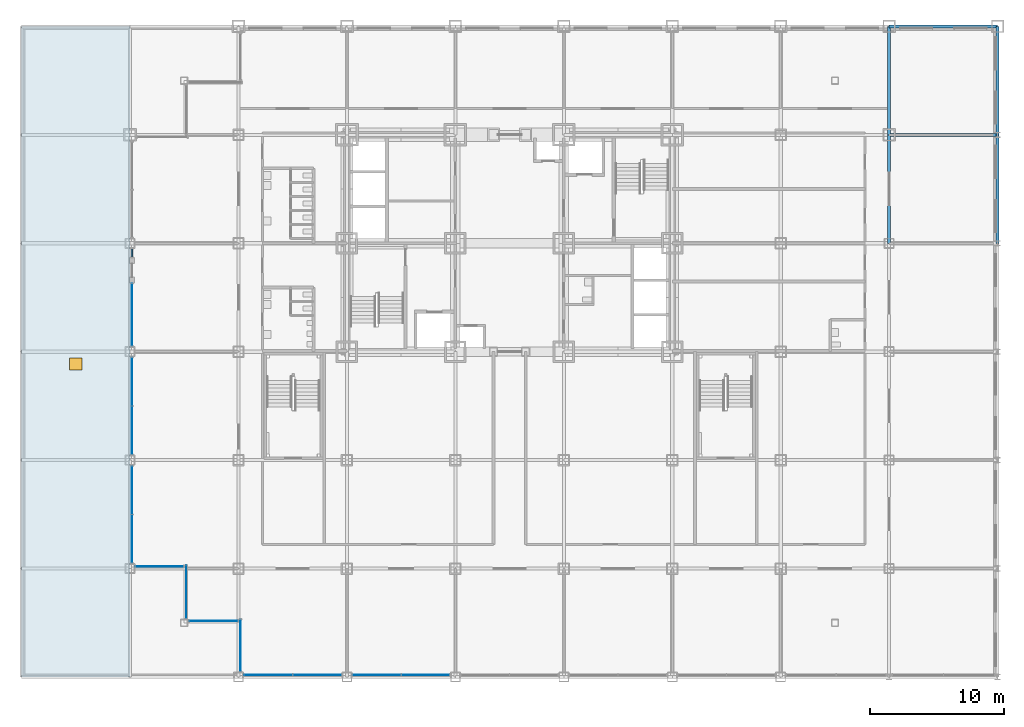
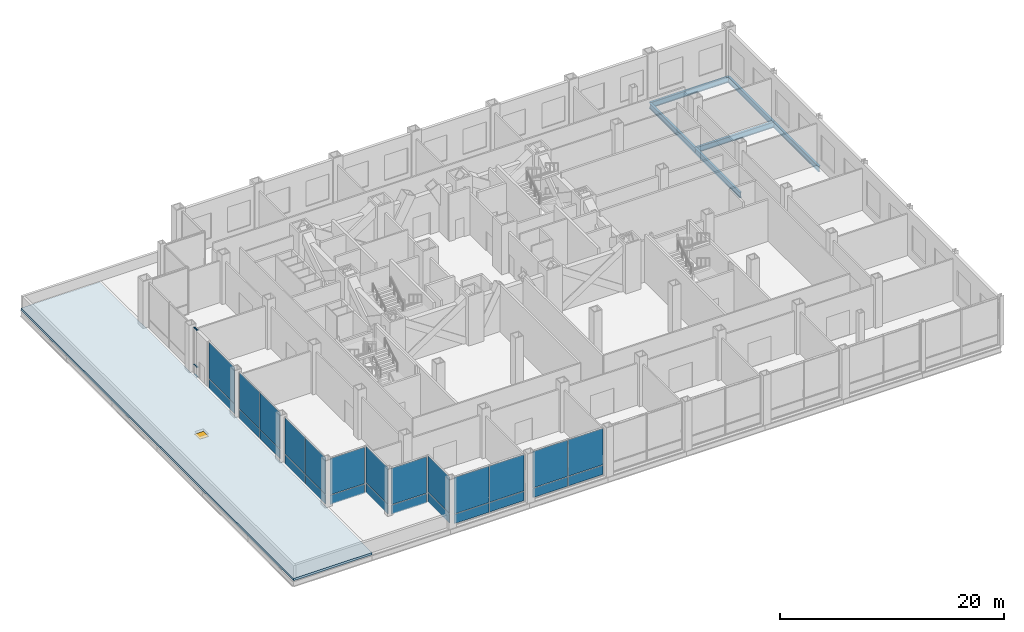
# One storey, part 16 of 26: 26 plates, 6 beams, 3 members, 1 slab, 1 window, 1 opening, 10 elements without a shape of their own.
"""IFC4 building model written with IfcOpenShell, lengths in metres."""

from ifc_helpers import new_model, si_unit, direction, frame, origin, origin_2d, place, context, subcontext, project, spatial, polyline, rectangle, i_section, outline, extrude, material, layer, layer_set, material_profile, profile_set, type_object, element, fill, aggregate, save


model = new_model("IFC4")

# Units and contexts
model_context = context("Model", 3, precision=1e-05, world=origin(), true_north=direction((0.0, 1.0)))
body_context = subcontext(model_context, "Body", "Model", "MODEL_VIEW")
ifc_project = project(units=[si_unit("LENGTHUNIT", "METRE"), si_unit("AREAUNIT", "SQUARE_METRE"), si_unit("VOLUMEUNIT", "CUBIC_METRE"), si_unit("PLANEANGLEUNIT", "RADIAN"), si_unit("MASSUNIT", "GRAM", prefix="KILO")], contexts=[model_context])

# Site, building, storey
site_placement = place(None, origin())
site = spatial("IfcSite", under=ifc_project, at=site_placement, CompositionType="ELEMENT")
building_placement = place(site_placement, origin())
building = spatial("IfcBuilding", under=site, at=building_placement, Name="Kopane Lantern Tower", CompositionType="ELEMENT")
storey_placement = place(building_placement, frame((0.0, 0.0, 16.800048828125)))
storey = spatial("IfcBuildingStorey", under=building, at=storey_placement, Name="L03", CompositionType="ELEMENT", Elevation=16.800048828125)

# Beams
ifc_material_1 = material(Name="Steel S355JR", Category="steel")
ifc_material_profile_1 = material_profile(ifc_material_1, i_section(OverallWidth=0.22900390625, OverallDepth=0.6123046875, WebThickness=0.011962890625, FlangeThickness=0.01953125, FilletRadius=0.0126953125, at=origin_2d()), Name="UB 610x229x125")
ifc_profile_set_1 = profile_set([ifc_material_profile_1], Name="Steel S355JR")
beam_type = type_object("IfcBeamType", Name="GIRDER UB 610x229x125", PredefinedType="BEAM", material=ifc_profile_set_1)
for number, where, z_axis, x_axis, name in (
    (1, (56.699951171875, 32.39990234375, -0.55615234375), (0.0, 1.0, 0.0), (-1.0, 0.0, 0.0), "Girder L03"),
    (2, (56.699951171875, 40.5, -0.55615234375), (0.0, 1.0, 0.0), (-1.0, 0.0, 0.0), "Girder L03"),
    (3, (56.699951171875, 40.5, -0.55615234375), (1.0, 0.0, 0.0), (0.0, 1.0, 0.0), "Girder L03"),
    (4, (56.699951171875, 48.60009765625, -0.55615234375), (1.0, 0.0, 0.0), (0.0, 1.0, 0.0), "Girder L03"),
    (5, (64.800048828125, 32.39990234375, -0.55615234375), (0.0, 1.0, 0.0), (-1.0, 0.0, 0.0), "Girder L03"),
    (6, (64.800048828125, 40.5, -0.55615234375), (0.0, 1.0, 0.0), (-1.0, 0.0, 0.0), "Girder L03"),
):
    element("IfcBeam", number, at=place(storey_placement, frame(where, z_axis=z_axis, x_axis=x_axis)), inside=storey, type_object=beam_type, Name=name, PredefinedType="BEAM", context=body_context, shape_type="SweptSolid", body=[
        extrude(i_section(OverallWidth=0.22900390625, OverallDepth=0.6123046875, WebThickness=0.011962890625, FlangeThickness=0.01953125, FilletRadius=0.0126953125, at=origin_2d()), origin(), (0.0, 0.0, 1.0), 8.10009765625),
    ])

# Curtain wall, members
ifc_material_2 = material(Name="Aluminium and clear glass", Category="aluminium")
curtain_wall_type = type_object("IfcCurtainWallType", Name="CURTAIN WALL CW2 PODIUM UPPER", PredefinedType="USERDEFINED", material=ifc_material_2)
curtain_wall_1_placement = place(storey_placement, origin())
curtain_wall_1 = element("IfcCurtainWall", 7, at=curtain_wall_1_placement, inside=storey, type_object=curtain_wall_type, Name="Curtain wall CW2 W L03", ObjectType="CURTAIN WALL", PredefinedType="USERDEFINED")
ifc_material_3 = material(Name="Aluminium", Category="aluminium")
ifc_material_profile_2 = material_profile(ifc_material_3, rectangle(XDim=0.139892578125, YDim=0.06005859375, at=origin_2d()), Name="AL 140x60")
ifc_profile_set_2 = profile_set([ifc_material_profile_2], Name="Aluminium")
member_type = type_object("IfcMemberType", Name="TRANSOM CW2-T 60x140", PredefinedType="USERDEFINED", material=ifc_profile_set_2)
member_1_placement = place(storey_placement, frame((0.14990234375, 31.9599609375, 0.030029296875), z_axis=(0.0, -1.0, 0.0), x_axis=(1.0, 0.0, 0.0)))
member_1 = element("IfcMember", 8, at=member_1_placement, type_object=member_type, Name="CW2 transom 1.1", ObjectType="TRANSOM", PredefinedType="USERDEFINED", context=body_context, shape_type="SweptSolid", body=[
    extrude(rectangle(XDim=0.139892578125, YDim=0.06005859375, at=origin_2d()), origin(), (0.0, 0.0, 1.0), 0.574951171875),
])
member_2_placement = place(storey_placement, frame((0.14990234375, 31.9599609375, 1.099853515625), z_axis=(0.0, -1.0, 0.0), x_axis=(1.0, 0.0, 0.0)))
member_2 = element("IfcMember", 9, at=member_2_placement, type_object=member_type, Name="CW2 transom 1.2", ObjectType="TRANSOM", PredefinedType="USERDEFINED", context=body_context, shape_type="SweptSolid", body=[
    extrude(rectangle(XDim=0.139892578125, YDim=0.06005859375, at=origin_2d()), origin(), (0.0, 0.0, 1.0), 0.574951171875),
])
member_3_placement = place(storey_placement, frame((0.14990234375, 31.9599609375, 5.119873046875), z_axis=(0.0, -1.0, 0.0), x_axis=(1.0, 0.0, 0.0)))
member_3 = element("IfcMember", 10, at=member_3_placement, type_object=member_type, Name="CW2 transom 1.3", ObjectType="TRANSOM", PredefinedType="USERDEFINED", context=body_context, shape_type="SweptSolid", body=[
    extrude(rectangle(XDim=0.139892578125, YDim=0.06005859375, at=origin_2d()), origin(), (0.0, 0.0, 1.0), 0.574951171875),
])
aggregate(curtain_wall_1, [member_1, member_2, member_3])

# Curtain wall, plates
curtain_wall_2_placement = place(storey_placement, origin())
curtain_wall_2 = element("IfcCurtainWall", 11, at=curtain_wall_2_placement, inside=storey, type_object=curtain_wall_type, Name="Curtain wall CW2 S L03", ObjectType="CURTAIN WALL", PredefinedType="USERDEFINED")
ifc_material_4 = material(Name="Insulated clear glass unit", Category="glass")
ifc_layer_1 = layer(ifc_material_4, 0.030029296875)
ifc_layer_set_1 = layer_set([ifc_layer_1], Name="CURTAIN PANEL CW2-P 30")
plate_type = type_object("IfcPlateType", Name="CURTAIN PANEL CW2-P 30", PredefinedType="CURTAIN_PANEL", material=ifc_layer_set_1)
plate_1_placement = place(storey_placement, frame((10.330078125, 0.14990234375, 0.06005859375), z_axis=(0.0, 0.0, 1.0), x_axis=(1.0, 0.0, 0.0)))
plate_1 = element("IfcPlate", 12, at=plate_1_placement, type_object=plate_type, Name="CW2 panel 1.1", PredefinedType="CURTAIN_PANEL", context=body_context, shape_type="SweptSolid", body=[
    extrude(rectangle(XDim=3.580078125, YDim=0.030029296875, at=origin_2d()), origin(), (0.0, 0.0, 1.0), 1.010009765625),
])
plate_2_placement = place(storey_placement, frame((10.330078125, 0.14990234375, 1.1298828125), z_axis=(0.0, 0.0, 1.0), x_axis=(1.0, 0.0, 0.0)))
plate_2 = element("IfcPlate", 13, at=plate_2_placement, type_object=plate_type, Name="CW2 panel 1.2", PredefinedType="CURTAIN_PANEL", context=body_context, shape_type="SweptSolid", body=[
    extrude(rectangle(XDim=3.580078125, YDim=0.030029296875, at=origin_2d()), origin(), (0.0, 0.0, 1.0), 3.9599609375),
])
plate_3_placement = place(storey_placement, frame((13.969970703125, 0.14990234375, 0.06005859375), z_axis=(0.0, 0.0, 1.0), x_axis=(1.0, 0.0, 0.0)))
plate_3 = element("IfcPlate", 14, at=plate_3_placement, type_object=plate_type, Name="CW2 panel 2.1", PredefinedType="CURTAIN_PANEL", context=body_context, shape_type="SweptSolid", body=[
    extrude(rectangle(XDim=3.580078125, YDim=0.030029296875, at=origin_2d()), origin(), (0.0, 0.0, 1.0), 1.010009765625),
])
plate_4_placement = place(storey_placement, frame((13.969970703125, 0.14990234375, 1.1298828125), z_axis=(0.0, 0.0, 1.0), x_axis=(1.0, 0.0, 0.0)))
plate_4 = element("IfcPlate", 15, at=plate_4_placement, type_object=plate_type, Name="CW2 panel 2.2", PredefinedType="CURTAIN_PANEL", context=body_context, shape_type="SweptSolid", body=[
    extrude(rectangle(XDim=3.580078125, YDim=0.030029296875, at=origin_2d()), origin(), (0.0, 0.0, 1.0), 3.9599609375),
])
aggregate(curtain_wall_2, [plate_1, plate_2, plate_3, plate_4])

curtain_wall_3_placement = place(storey_placement, origin())
curtain_wall_3 = element("IfcCurtainWall", 16, at=curtain_wall_3_placement, inside=storey, type_object=curtain_wall_type, Name="Curtain wall CW2 S L03", ObjectType="CURTAIN WALL", PredefinedType="USERDEFINED")
plate_5_placement = place(storey_placement, frame((18.429931640625, 0.14990234375, 0.06005859375), z_axis=(0.0, 0.0, 1.0), x_axis=(1.0, 0.0, 0.0)))
plate_5 = element("IfcPlate", 17, at=plate_5_placement, type_object=plate_type, Name="CW2 panel 1.1", PredefinedType="CURTAIN_PANEL", context=body_context, shape_type="SweptSolid", body=[
    extrude(rectangle(XDim=3.580078125, YDim=0.030029296875, at=origin_2d()), origin(), (0.0, 0.0, 1.0), 1.010009765625),
])
plate_6_placement = place(storey_placement, frame((18.429931640625, 0.14990234375, 1.1298828125), z_axis=(0.0, 0.0, 1.0), x_axis=(1.0, 0.0, 0.0)))
plate_6 = element("IfcPlate", 18, at=plate_6_placement, type_object=plate_type, Name="CW2 panel 1.2", PredefinedType="CURTAIN_PANEL", context=body_context, shape_type="SweptSolid", body=[
    extrude(rectangle(XDim=3.580078125, YDim=0.030029296875, at=origin_2d()), origin(), (0.0, 0.0, 1.0), 3.9599609375),
])
plate_7_placement = place(storey_placement, frame((22.070068359375, 0.14990234375, 0.06005859375), z_axis=(0.0, 0.0, 1.0), x_axis=(1.0, 0.0, 0.0)))
plate_7 = element("IfcPlate", 19, at=plate_7_placement, type_object=plate_type, Name="CW2 panel 2.1", PredefinedType="CURTAIN_PANEL", context=body_context, shape_type="SweptSolid", body=[
    extrude(rectangle(XDim=3.580078125, YDim=0.030029296875, at=origin_2d()), origin(), (0.0, 0.0, 1.0), 1.010009765625),
])
plate_8_placement = place(storey_placement, frame((22.070068359375, 0.14990234375, 1.1298828125), z_axis=(0.0, 0.0, 1.0), x_axis=(1.0, 0.0, 0.0)))
plate_8 = element("IfcPlate", 20, at=plate_8_placement, type_object=plate_type, Name="CW2 panel 2.2", PredefinedType="CURTAIN_PANEL", context=body_context, shape_type="SweptSolid", body=[
    extrude(rectangle(XDim=3.580078125, YDim=0.030029296875, at=origin_2d()), origin(), (0.0, 0.0, 1.0), 3.9599609375),
])
aggregate(curtain_wall_3, [plate_5, plate_6, plate_7, plate_8])

curtain_wall_4_placement = place(storey_placement, origin())
curtain_wall_4 = element("IfcCurtainWall", 21, at=curtain_wall_4_placement, inside=storey, type_object=curtain_wall_type, Name="Curtain wall CW2 W L03", ObjectType="CURTAIN WALL", PredefinedType="USERDEFINED")
plate_9_placement = place(storey_placement, frame((0.14990234375, 27.052490234375, 0.06005859375), z_axis=(0.0, 0.0, 1.0), x_axis=(0.0, -1.0, 0.0)))
plate_9 = element("IfcPlate", 22, at=plate_9_placement, type_object=plate_type, Name="CW2 panel 1.1", PredefinedType="CURTAIN_PANEL", context=body_context, shape_type="SweptSolid", body=[
    extrude(rectangle(XDim=4.625, YDim=0.030029296875, at=origin_2d()), origin(), (0.0, 0.0, 1.0), 1.010009765625),
])
plate_10_placement = place(storey_placement, frame((0.14990234375, 27.052490234375, 1.1298828125), z_axis=(0.0, 0.0, 1.0), x_axis=(0.0, -1.0, 0.0)))
plate_10 = element("IfcPlate", 23, at=plate_10_placement, type_object=plate_type, Name="CW2 panel 1.2", PredefinedType="CURTAIN_PANEL", context=body_context, shape_type="SweptSolid", body=[
    extrude(rectangle(XDim=4.625, YDim=0.030029296875, at=origin_2d()), origin(), (0.0, 0.0, 1.0), 3.9599609375),
])
aggregate(curtain_wall_4, [plate_9, plate_10])

curtain_wall_5_placement = place(storey_placement, origin())
curtain_wall_5 = element("IfcCurtainWall", 24, at=curtain_wall_5_placement, inside=storey, type_object=curtain_wall_type, Name="Curtain wall CW2 W L03", ObjectType="CURTAIN WALL", PredefinedType="USERDEFINED")
plate_11_placement = place(storey_placement, frame((0.14990234375, 22.070068359375, 0.06005859375), z_axis=(0.0, 0.0, 1.0), x_axis=(0.0, -1.0, 0.0)))
plate_11 = element("IfcPlate", 25, at=plate_11_placement, type_object=plate_type, Name="CW2 panel 1.1", PredefinedType="CURTAIN_PANEL", context=body_context, shape_type="SweptSolid", body=[
    extrude(rectangle(XDim=3.580078125, YDim=0.030029296875, at=origin_2d()), origin(), (0.0, 0.0, 1.0), 1.010009765625),
])
plate_12_placement = place(storey_placement, frame((0.14990234375, 22.070068359375, 1.1298828125), z_axis=(0.0, 0.0, 1.0), x_axis=(0.0, -1.0, 0.0)))
plate_12 = element("IfcPlate", 26, at=plate_12_placement, type_object=plate_type, Name="CW2 panel 1.2", PredefinedType="CURTAIN_PANEL", context=body_context, shape_type="SweptSolid", body=[
    extrude(rectangle(XDim=3.580078125, YDim=0.030029296875, at=origin_2d()), origin(), (0.0, 0.0, 1.0), 3.9599609375),
])
plate_13_placement = place(storey_placement, frame((0.14990234375, 18.429931640625, 0.06005859375), z_axis=(0.0, 0.0, 1.0), x_axis=(0.0, -1.0, 0.0)))
plate_13 = element("IfcPlate", 27, at=plate_13_placement, type_object=plate_type, Name="CW2 panel 2.1", PredefinedType="CURTAIN_PANEL", context=body_context, shape_type="SweptSolid", body=[
    extrude(rectangle(XDim=3.580078125, YDim=0.030029296875, at=origin_2d()), origin(), (0.0, 0.0, 1.0), 1.010009765625),
])
plate_14_placement = place(storey_placement, frame((0.14990234375, 18.429931640625, 1.1298828125), z_axis=(0.0, 0.0, 1.0), x_axis=(0.0, -1.0, 0.0)))
plate_14 = element("IfcPlate", 28, at=plate_14_placement, type_object=plate_type, Name="CW2 panel 2.2", PredefinedType="CURTAIN_PANEL", context=body_context, shape_type="SweptSolid", body=[
    extrude(rectangle(XDim=3.580078125, YDim=0.030029296875, at=origin_2d()), origin(), (0.0, 0.0, 1.0), 3.9599609375),
])
aggregate(curtain_wall_5, [plate_11, plate_12, plate_13, plate_14])

curtain_wall_6_placement = place(storey_placement, origin())
curtain_wall_6 = element("IfcCurtainWall", 29, at=curtain_wall_6_placement, inside=storey, type_object=curtain_wall_type, Name="Curtain wall CW2 W L03", ObjectType="CURTAIN WALL", PredefinedType="USERDEFINED")
plate_15_placement = place(storey_placement, frame((0.14990234375, 13.969970703125, 0.06005859375), z_axis=(0.0, 0.0, 1.0), x_axis=(0.0, -1.0, 0.0)))
plate_15 = element("IfcPlate", 30, at=plate_15_placement, type_object=plate_type, Name="CW2 panel 1.1", PredefinedType="CURTAIN_PANEL", context=body_context, shape_type="SweptSolid", body=[
    extrude(rectangle(XDim=3.580078125, YDim=0.030029296875, at=origin_2d()), origin(), (0.0, 0.0, 1.0), 1.010009765625),
])
plate_16_placement = place(storey_placement, frame((0.14990234375, 13.969970703125, 1.1298828125), z_axis=(0.0, 0.0, 1.0), x_axis=(0.0, -1.0, 0.0)))
plate_16 = element("IfcPlate", 31, at=plate_16_placement, type_object=plate_type, Name="CW2 panel 1.2", PredefinedType="CURTAIN_PANEL", context=body_context, shape_type="SweptSolid", body=[
    extrude(rectangle(XDim=3.580078125, YDim=0.030029296875, at=origin_2d()), origin(), (0.0, 0.0, 1.0), 3.9599609375),
])
plate_17_placement = place(storey_placement, frame((0.14990234375, 10.330078125, 0.06005859375), z_axis=(0.0, 0.0, 1.0), x_axis=(0.0, -1.0, 0.0)))
plate_17 = element("IfcPlate", 32, at=plate_17_placement, type_object=plate_type, Name="CW2 panel 2.1", PredefinedType="CURTAIN_PANEL", context=body_context, shape_type="SweptSolid", body=[
    extrude(rectangle(XDim=3.580078125, YDim=0.030029296875, at=origin_2d()), origin(), (0.0, 0.0, 1.0), 1.010009765625),
])
plate_18_placement = place(storey_placement, frame((0.14990234375, 10.330078125, 1.1298828125), z_axis=(0.0, 0.0, 1.0), x_axis=(0.0, -1.0, 0.0)))
plate_18 = element("IfcPlate", 33, at=plate_18_placement, type_object=plate_type, Name="CW2 panel 2.2", PredefinedType="CURTAIN_PANEL", context=body_context, shape_type="SweptSolid", body=[
    extrude(rectangle(XDim=3.580078125, YDim=0.030029296875, at=origin_2d()), origin(), (0.0, 0.0, 1.0), 3.9599609375),
])
aggregate(curtain_wall_6, [plate_15, plate_16, plate_17, plate_18])

curtain_wall_7_placement = place(storey_placement, origin())
curtain_wall_7 = element("IfcCurtainWall", 34, at=curtain_wall_7_placement, inside=storey, type_object=curtain_wall_type, Name="Curtain wall CW2 S L03", ObjectType="CURTAIN WALL", PredefinedType="USERDEFINED")
plate_19_placement = place(storey_placement, frame((2.215087890625, 8.25, 0.06005859375), z_axis=(0.0, 0.0, 1.0), x_axis=(1.0, 0.0, 0.0)))
plate_19 = element("IfcPlate", 35, at=plate_19_placement, type_object=plate_type, Name="CW2 panel 1.1", PredefinedType="CURTAIN_PANEL", context=body_context, shape_type="SweptSolid", body=[
    extrude(rectangle(XDim=3.550048828125, YDim=0.030029296875, at=origin_2d()), origin(), (0.0, 0.0, 1.0), 1.010009765625),
])
plate_20_placement = place(storey_placement, frame((2.215087890625, 8.25, 1.1298828125), z_axis=(0.0, 0.0, 1.0), x_axis=(1.0, 0.0, 0.0)))
plate_20 = element("IfcPlate", 36, at=plate_20_placement, type_object=plate_type, Name="CW2 panel 1.2", PredefinedType="CURTAIN_PANEL", context=body_context, shape_type="SweptSolid", body=[
    extrude(rectangle(XDim=3.550048828125, YDim=0.030029296875, at=origin_2d()), origin(), (0.0, 0.0, 1.0), 3.9599609375),
])
aggregate(curtain_wall_7, [plate_19, plate_20])

curtain_wall_8_placement = place(storey_placement, origin())
curtain_wall_8 = element("IfcCurtainWall", 37, at=curtain_wall_8_placement, inside=storey, type_object=curtain_wall_type, Name="Curtain wall CW2 W L03", ObjectType="CURTAIN WALL", PredefinedType="USERDEFINED")
plate_21_placement = place(storey_placement, frame((4.199951171875, 6.364990234375, 0.06005859375), z_axis=(0.0, 0.0, 1.0), x_axis=(0.0, -1.0, 0.0)))
plate_21 = element("IfcPlate", 38, at=plate_21_placement, type_object=plate_type, Name="CW2 panel 1.1", PredefinedType="CURTAIN_PANEL", context=body_context, shape_type="SweptSolid", body=[
    extrude(rectangle(XDim=3.949951171875, YDim=0.030029296875, at=origin_2d()), origin(), (0.0, 0.0, 1.0), 1.010009765625),
])
plate_22_placement = place(storey_placement, frame((4.199951171875, 6.364990234375, 1.1298828125), z_axis=(0.0, 0.0, 1.0), x_axis=(0.0, -1.0, 0.0)))
plate_22 = element("IfcPlate", 39, at=plate_22_placement, type_object=plate_type, Name="CW2 panel 1.2", PredefinedType="CURTAIN_PANEL", context=body_context, shape_type="SweptSolid", body=[
    extrude(rectangle(XDim=3.949951171875, YDim=0.030029296875, at=origin_2d()), origin(), (0.0, 0.0, 1.0), 3.9599609375),
])
aggregate(curtain_wall_8, [plate_21, plate_22])

curtain_wall_9_placement = place(storey_placement, origin())
curtain_wall_9 = element("IfcCurtainWall", 40, at=curtain_wall_9_placement, inside=storey, type_object=curtain_wall_type, Name="Curtain wall CW2 S L03", ObjectType="CURTAIN WALL", PredefinedType="USERDEFINED")
plate_23_placement = place(storey_placement, frame((6.22509765625, 4.199951171875, 0.06005859375), z_axis=(0.0, 0.0, 1.0), x_axis=(1.0, 0.0, 0.0)))
plate_23 = element("IfcPlate", 41, at=plate_23_placement, type_object=plate_type, Name="CW2 panel 1.1", PredefinedType="CURTAIN_PANEL", context=body_context, shape_type="SweptSolid", body=[
    extrude(rectangle(XDim=3.6298828125, YDim=0.030029296875, at=origin_2d()), origin(), (0.0, 0.0, 1.0), 1.010009765625),
])
plate_24_placement = place(storey_placement, frame((6.22509765625, 4.199951171875, 1.1298828125), z_axis=(0.0, 0.0, 1.0), x_axis=(1.0, 0.0, 0.0)))
plate_24 = element("IfcPlate", 42, at=plate_24_placement, type_object=plate_type, Name="CW2 panel 1.2", PredefinedType="CURTAIN_PANEL", context=body_context, shape_type="SweptSolid", body=[
    extrude(rectangle(XDim=3.6298828125, YDim=0.030029296875, at=origin_2d()), origin(), (0.0, 0.0, 1.0), 3.9599609375),
])
aggregate(curtain_wall_9, [plate_23, plate_24])

curtain_wall_10_placement = place(storey_placement, origin())
curtain_wall_10 = element("IfcCurtainWall", 43, at=curtain_wall_10_placement, inside=storey, type_object=curtain_wall_type, Name="Curtain wall CW2 W L03", ObjectType="CURTAIN WALL", PredefinedType="USERDEFINED")
plate_25_placement = place(storey_placement, frame((8.25, 2.364990234375, 0.06005859375), z_axis=(0.0, 0.0, 1.0), x_axis=(0.0, -1.0, 0.0)))
plate_25 = element("IfcPlate", 44, at=plate_25_placement, type_object=plate_type, Name="CW2 panel 1.1", PredefinedType="CURTAIN_PANEL", context=body_context, shape_type="SweptSolid", body=[
    extrude(rectangle(XDim=3.85009765625, YDim=0.030029296875, at=origin_2d()), origin(), (0.0, 0.0, 1.0), 1.010009765625),
])
plate_26_placement = place(storey_placement, frame((8.25, 2.364990234375, 1.1298828125), z_axis=(0.0, 0.0, 1.0), x_axis=(0.0, -1.0, 0.0)))
plate_26 = element("IfcPlate", 45, at=plate_26_placement, type_object=plate_type, Name="CW2 panel 1.2", PredefinedType="CURTAIN_PANEL", context=body_context, shape_type="SweptSolid", body=[
    extrude(rectangle(XDim=3.85009765625, YDim=0.030029296875, at=origin_2d()), origin(), (0.0, 0.0, 1.0), 3.9599609375),
])
aggregate(curtain_wall_10, [plate_25, plate_26])

# Slab, opening, window
ifc_material_5 = material(Name="Concrete C40/50", Category="concrete")
ifc_layer_2 = layer(ifc_material_5, 0.25)
ifc_layer_set_2 = layer_set([ifc_layer_2], Name="SLAB 250 ROOF")
slab_type = type_object("IfcSlabType", Name="SLAB 250 ROOF", PredefinedType="ROOF", material=ifc_layer_set_2)
slab_placement = place(storey_placement, frame((0.0, 0.0, -0.25)))
slab = element("IfcSlab", 46, at=slab_placement, inside=storey, type_object=slab_type, Name="Maintenance roof slab L03", PredefinedType="ROOF", context=body_context, shape_type="SweptSolid", body=[
    extrude(outline(polyline([(-8.10009765625, 48.60009765625), (0.0, 48.60009765625), (0.0, 0.0), (-8.10009765625, 0.0), (-8.10009765625, 48.60009765625)])), origin(), (0.0, 0.0, 1.0), 0.25),
])
opening_placement = place(slab_placement, frame((-4.050048828125, 23.39990234375, 0.0)))
opening = element("IfcOpeningElement", 47, at=opening_placement, cuts=slab, Name="Opening RH1", PredefinedType="OPENING", context=body_context, shape_type="SweptSolid", body=[
    extrude(rectangle(XDim=0.89990234375, YDim=0.89990234375, at=origin_2d()), origin(), (0.0, 0.0, 1.0), 0.25),
])
ifc_material_6 = material(Name="Insulated aluminium", Category="aluminium")
window_type = type_object("IfcWindowType", Name="ROOF ACCESS HATCH RH1 900x900", PartitioningType="SINGLE_PANEL", PredefinedType="SKYLIGHT", material=ifc_material_6)
window_placement = place(opening_placement, frame((0.0, 0.0, 0.199951171875)))
window = element("IfcWindow", 48, at=window_placement, inside=storey, type_object=window_type, Name="Roof access hatch L03", OverallHeight=0.89990234375, OverallWidth=0.89990234375, PartitioningType="SINGLE_PANEL", PredefinedType="SKYLIGHT", context=body_context, shape_type="SweptSolid", body=[
    extrude(rectangle(XDim=0.89990234375, YDim=0.89990234375, at=origin_2d()), origin(), (0.0, 0.0, 1.0), 0.050048828125),
])
fill(opening, window)

save(model, "model.ifc")
